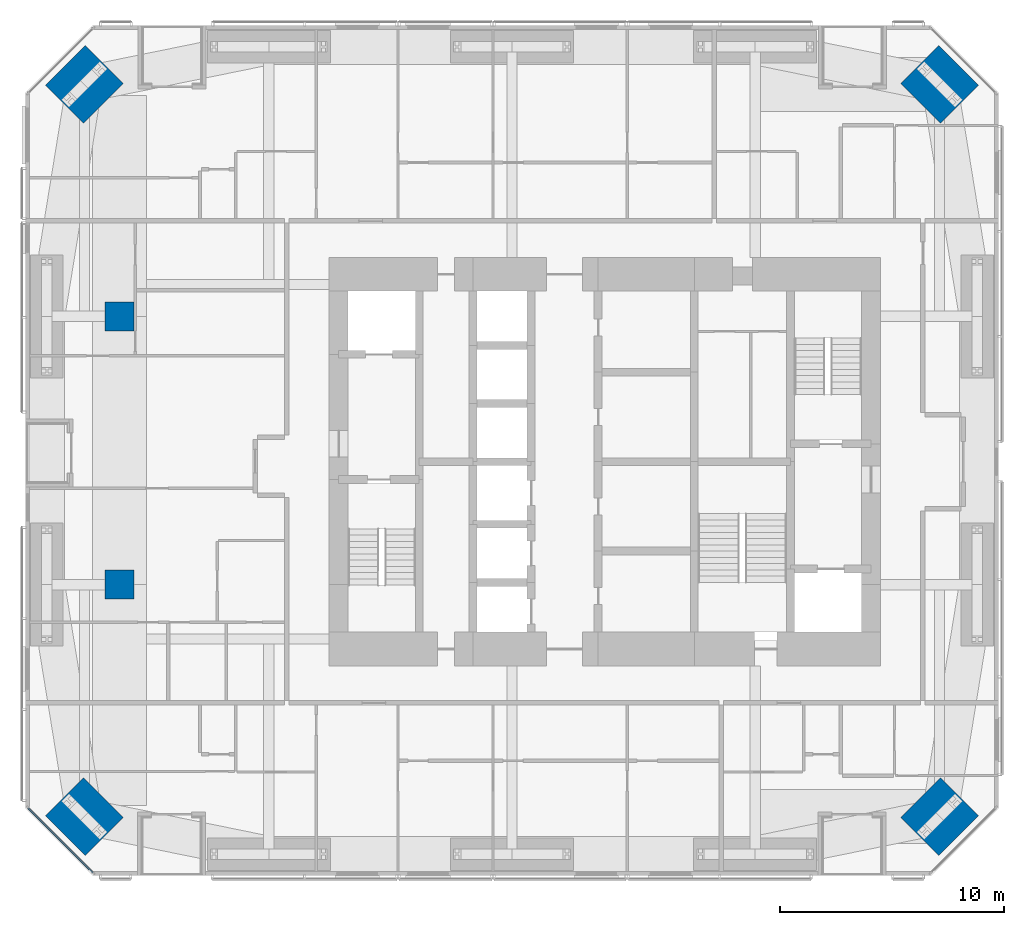
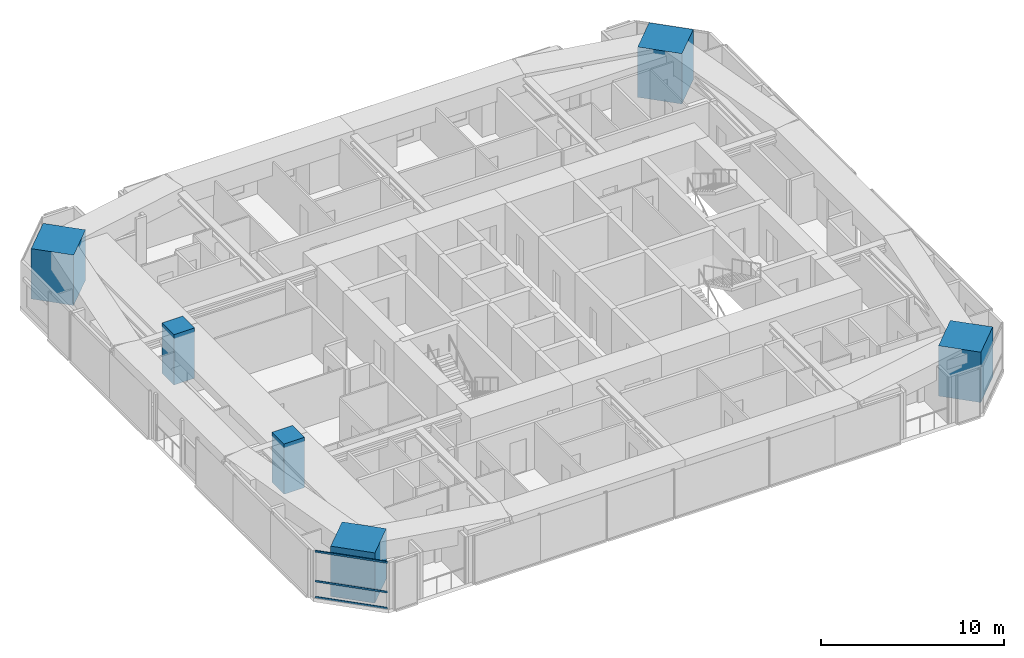
# One storey, part 1 of 23: 6 columns, 3 members, 1 element without a shape of its own.
"""IFC4 building model written with IfcOpenShell, lengths in metres."""

from ifc_helpers import new_model, si_unit, direction, frame, origin, origin_2d, place, context, subcontext, project, spatial, rectangle, extrude, material, material_profile, profile_set, type_object, element, aggregate, save


model = new_model("IFC4")

# Units and contexts
model_context = context("Model", 3, precision=1e-05, world=origin(), true_north=direction((0.0, 1.0)))
body_context = subcontext(model_context, "Body", "Model", "MODEL_VIEW")
ifc_project = project(units=[si_unit("LENGTHUNIT", "METRE"), si_unit("AREAUNIT", "SQUARE_METRE"), si_unit("VOLUMEUNIT", "CUBIC_METRE"), si_unit("PLANEANGLEUNIT", "RADIAN"), si_unit("MASSUNIT", "GRAM", prefix="KILO")], contexts=[model_context])

# Site, building, storey
site_placement = place(None, origin())
site = spatial("IfcSite", under=ifc_project, at=site_placement, CompositionType="ELEMENT")
building_placement = place(site_placement, origin())
building = spatial("IfcBuilding", under=site, at=building_placement, Name="Jalousie Tower", CompositionType="ELEMENT")
storey_placement = place(building_placement, frame((0.0, 0.0, 121.60009765625)))
storey = spatial("IfcBuildingStorey", under=building, at=storey_placement, Name="L33", CompositionType="ELEMENT", Elevation=121.60009765625)

# Columns
ifc_material_1 = material(Name="Concrete f'c 120 MPa", Category="concrete")
ifc_material_profile_1 = material_profile(ifc_material_1, rectangle(XDim=1.300048828125, YDim=1.300048828125, at=origin_2d()), Name="RC 1300x1300")
ifc_profile_set_1 = profile_set([ifc_material_profile_1], Name="Concrete f'c 120 MPa")
column_type_1 = type_object("IfcColumnType", Name="RC COLUMN 1300x1300", PredefinedType="COLUMN", material=ifc_profile_set_1)
for number, where, z_axis, x_axis, name in (
    (1, (10.199951171875, 13.0, 0.0), (0.0, 0.0, 1.0), (1.0, 0.0, 0.0), "Interior column IB1 L33"),
    (2, (10.199951171875, 25.0, 0.0), (0.0, 0.0, 1.0), (1.0, 0.0, 0.0), "Interior column IB2 L33"),
):
    element("IfcColumn", number, at=place(storey_placement, frame(where, z_axis=z_axis, x_axis=x_axis)), inside=storey, type_object=column_type_1, Name=name, PredefinedType="COLUMN", context=body_context, shape_type="SweptSolid", body=[
        extrude(rectangle(XDim=1.300048828125, YDim=1.300048828125, at=origin_2d()), origin(), (0.0, 0.0, 1.0), 3.349853515625),
    ])
ifc_material_2 = material(Name="Concrete f'c 120 MPa", Category="concrete")
ifc_material_profile_2 = material_profile(ifc_material_2, rectangle(XDim=2.39990234375, YDim=2.5, at=origin_2d()), Name="RC 2400x2500")
ifc_profile_set_2 = profile_set([ifc_material_profile_2], Name="Concrete f'c 120 MPa")
column_type_2 = type_object("IfcColumnType", Name="RC CORNER COLUMN 2400x2500", PredefinedType="COLUMN", material=ifc_profile_set_2)
for number, where, z_axis, x_axis, name in (
    (3, (8.63134765625, 2.63134765625, 0.0), (0.0, 0.0, 1.0), (0.707106781187, 0.707106781187, 0.0), "Corner column 01 L33"),
    (4, (46.86865234375, 2.63134765625, 0.0), (0.0, 0.0, 1.0), (-0.707106781187, 0.707106781187, 0.0), "Corner column 05 L33"),
    (5, (46.86865234375, 35.36865234375, 0.0), (0.0, 0.0, 1.0), (-0.707106781187, -0.707106781187, 0.0), "Corner column 08 L33"),
    (6, (8.63134765625, 35.36865234375, 0.0), (0.0, 0.0, 1.0), (0.707106781187, -0.707106781187, 0.0), "Corner column 12 L33"),
):
    element("IfcColumn", number, at=place(storey_placement, frame(where, z_axis=z_axis, x_axis=x_axis)), inside=storey, type_object=column_type_2, Name=name, PredefinedType="COLUMN", context=body_context, shape_type="SweptSolid", body=[
        extrude(rectangle(XDim=2.39990234375, YDim=2.5, at=origin_2d()), origin(), (0.0, 0.0, 1.0), 3.349853515625),
    ])

# Curtain wall, members
ifc_material_3 = material(Name="Aluminium curtain wall", Category="aluminium")
curtain_wall_type = type_object("IfcCurtainWallType", Name="CORNER WINDOW WALL", PredefinedType="USERDEFINED", material=ifc_material_3)
curtain_wall_placement = place(storey_placement, origin())
curtain_wall = element("IfcCurtainWall", 7, at=curtain_wall_placement, inside=storey, type_object=curtain_wall_type, Name="Corner Window Wall L33 8", ObjectType="CORNER WINDOW WALL", PredefinedType="USERDEFINED")
ifc_material_4 = material(Name="Aluminium transom", Category="aluminium")
ifc_material_profile_3 = material_profile(ifc_material_4, rectangle(XDim=0.06005859375, YDim=0.1201171875, at=origin_2d()), Name="TRANSOM 60x120")
ifc_profile_set_3 = profile_set([ifc_material_profile_3], Name="Aluminium transom")
member_type = type_object("IfcMemberType", Name="CORNER WINDOW WALL TRANSOM", PredefinedType="USERDEFINED", material=ifc_profile_set_3)
member_1_placement = place(storey_placement, frame((6.1298828125, 3.0087890625, 0.02978515625), z_axis=(0.707106781187, -0.707106781187, 0.0), x_axis=(0.707106781187, 0.707106781187, 0.0)))
member_1 = element("IfcMember", 8, at=member_1_placement, type_object=member_type, Name="CW-C transom 1.1", ObjectType="TRANSOM", PredefinedType="USERDEFINED", context=body_context, shape_type="SweptSolid", body=[
    extrude(rectangle(XDim=0.06005859375, YDim=0.1201171875, at=origin_2d()), origin(), (0.0, 0.0, 1.0), 4.0712890625),
])
member_2_placement = place(storey_placement, frame((6.1298828125, 3.0087890625, 1.099853515625), z_axis=(0.707106781187, -0.707106781187, 0.0), x_axis=(0.707106781187, 0.707106781187, 0.0)))
member_2 = element("IfcMember", 9, at=member_2_placement, type_object=member_type, Name="CW-C transom 1.2", ObjectType="TRANSOM", PredefinedType="USERDEFINED", context=body_context, shape_type="SweptSolid", body=[
    extrude(rectangle(XDim=0.06005859375, YDim=0.1201171875, at=origin_2d()), origin(), (0.0, 0.0, 1.0), 4.0712890625),
])
member_3_placement = place(storey_placement, frame((6.1298828125, 3.0087890625, 3.079833984375), z_axis=(0.707106781187, -0.707106781187, 0.0), x_axis=(0.707106781187, 0.707106781187, 0.0)))
member_3 = element("IfcMember", 10, at=member_3_placement, type_object=member_type, Name="CW-C transom 1.3", ObjectType="TRANSOM", PredefinedType="USERDEFINED", context=body_context, shape_type="SweptSolid", body=[
    extrude(rectangle(XDim=0.06005859375, YDim=0.1201171875, at=origin_2d()), origin(), (0.0, 0.0, 1.0), 4.0712890625),
])
aggregate(curtain_wall, [member_1, member_2, member_3])

save(model, "model.ifc")
